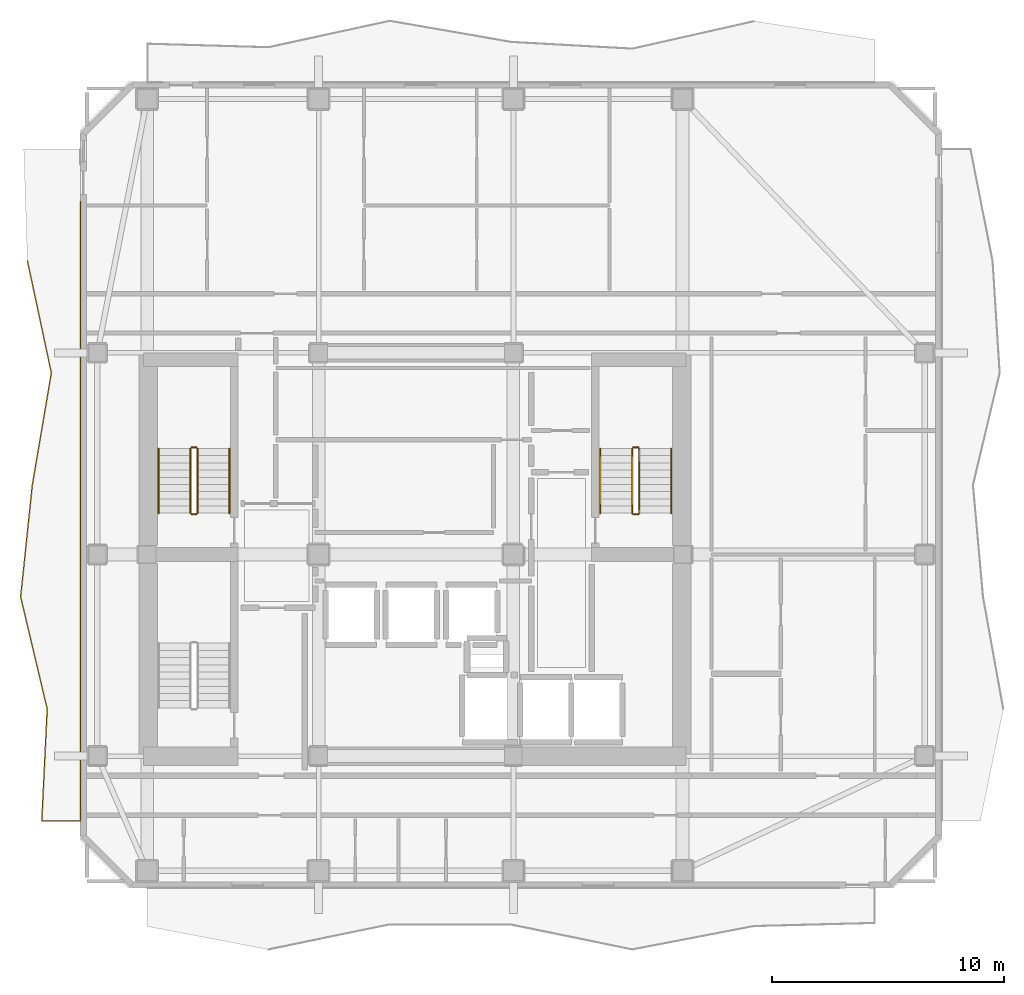
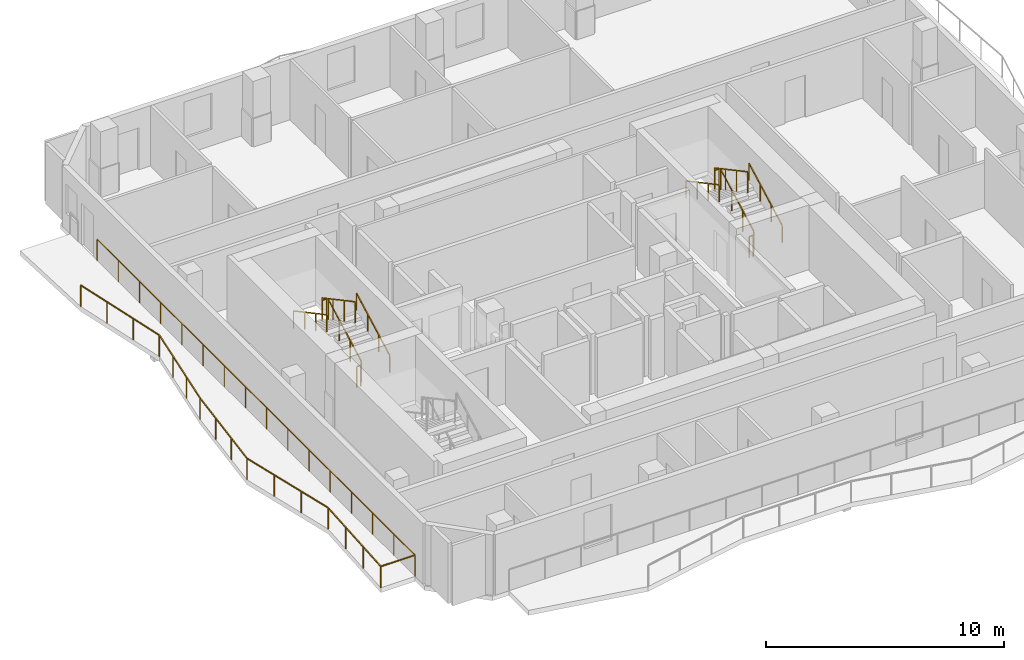
# One storey, part 8 of 9: 13 railings.
"""IFC4 building model written with IfcOpenShell, lengths in metres."""

from ifc_helpers import new_model, si_unit, direction, frame, origin, origin_2d, place, context, subcontext, project, spatial, rectangle, extrude, material, type_object, element, save


model = new_model("IFC4")

# Units and contexts
model_context = context("Model", 3, precision=1e-05, world=origin(), true_north=direction((0.0, 1.0)))
body_context = subcontext(model_context, "Body", "Model", "MODEL_VIEW")
ifc_project = project(units=[si_unit("LENGTHUNIT", "METRE"), si_unit("AREAUNIT", "SQUARE_METRE"), si_unit("VOLUMEUNIT", "CUBIC_METRE"), si_unit("PLANEANGLEUNIT", "RADIAN"), si_unit("MASSUNIT", "GRAM", prefix="KILO")], contexts=[model_context])

# Site, building, storey
site_placement = place(None, origin())
site = spatial("IfcSite", under=ifc_project, at=site_placement, CompositionType="ELEMENT")
building_placement = place(site_placement, origin())
building = spatial("IfcBuilding", under=site, at=building_placement, Name="Solanera Arch Residences", CompositionType="ELEMENT")
storey_placement = place(building_placement, frame((0.0, 0.0, 234.60009765625)))
storey = spatial("IfcBuildingStorey", under=building, at=storey_placement, Name="L68", CompositionType="ELEMENT", Elevation=234.60009765625)

# Railings
ifc_material_1 = material(Name="Steel S355 (ASTM A992 / A572 Grade 50)", Category="steel")
railing_type_1 = type_object("IfcRailingType", Name="Balustrade Railing BL-1100", PredefinedType="BALUSTRADE", material=ifc_material_1)
railing_1_placement = place(storey_placement, frame((8.22900390625, 43.366943359375, 0.0)))
element("IfcRailing", 1, at=railing_1_placement, inside=storey, type_object=railing_type_1, Name="L68 W Balcony Balustrade 1", PredefinedType="BALUSTRADE", context=body_context, shape_type="SweptSolid", body=[
    extrude(rectangle(XDim=0.048095703125, YDim=0.048095703125, at=origin_2d()), frame((0.0, 0.0, 1.09619140625), z_axis=(0.20878019562, -0.977962591267, 0.0), x_axis=(0.977962591267, 0.20878019562, 0.0)), (0.0, 0.0, 1.0), 4.94287109375),
    extrude(rectangle(XDim=0.048095703125, YDim=0.048095703125, at=origin_2d()), frame((1.031982421875, -4.833984375, 1.09619140625), z_axis=(-0.167483198163, -0.985874930371, 0.0), x_axis=(0.985874930371, -0.167483198163, 0.0)), (0.0, 0.0, 1.0), 4.90234375),
    extrude(rectangle(XDim=0.048095703125, YDim=0.048095703125, at=origin_2d()), frame((0.2109375, -9.6669921875, 1.09619140625), z_axis=(-0.103701348985, -0.99460848087, 0.0), x_axis=(0.99460848087, -0.103701348985, 0.0)), (0.0, 0.0, 1.0), 4.859130859375),
    extrude(rectangle(XDim=0.048095703125, YDim=0.048095703125, at=origin_2d()), frame((-0.29296875, -14.5, 1.09619140625), z_axis=(0.230490875828, -0.97307448644, 0.0), x_axis=(0.97307448644, 0.230490875828, 0.0)), (0.0, 0.0, 1.0), 4.9677734375),
    extrude(rectangle(XDim=0.048095703125, YDim=0.048095703125, at=origin_2d()), frame((0.85205078125, -19.333984375, 1.09619140625), z_axis=(-0.047934328396, -0.998850489393, 0.0), x_axis=(0.998850489393, -0.047934328396, 0.0)), (0.0, 0.0, 1.0), 4.838623046875),
    extrude(rectangle(XDim=0.048095703125, YDim=0.048095703125, at=origin_2d()), frame((0.6201171875, -24.1669921875, 1.09619140625), z_axis=(1.0, 0.0, 0.0), x_axis=(0.0, 1.0, 0.0)), (0.0, 0.0, 1.0), 1.6708984375),
    extrude(rectangle(XDim=0.048095703125, YDim=0.048095703125, at=origin_2d()), frame((2.291015625, -24.1669921875, 1.09619140625), z_axis=(0.0, 1.0, 0.0), x_axis=(-1.0, 0.0, 0.0)), (0.0, 0.0, 1.0), 26.739990234375),
    extrude(rectangle(XDim=0.0419921875, YDim=0.0419921875, at=origin_2d()), origin(), (0.0, 0.0, 1.0), 1.072021484375),
    extrude(rectangle(XDim=0.0419921875, YDim=0.0419921875, at=origin_2d()), frame((0.343994140625, -1.611328125, 0.0)), (0.0, 0.0, 1.0), 1.072021484375),
    extrude(rectangle(XDim=0.0419921875, YDim=0.0419921875, at=origin_2d()), frame((0.68798828125, -3.22265625, 0.0)), (0.0, 0.0, 1.0), 1.072021484375),
    extrude(rectangle(XDim=0.0419921875, YDim=0.0419921875, at=origin_2d()), frame((1.031982421875, -4.833984375, 0.0)), (0.0, 0.0, 1.0), 1.072021484375),
    extrude(rectangle(XDim=0.0419921875, YDim=0.0419921875, at=origin_2d()), frame((0.75830078125, -6.445068359375, 0.0)), (0.0, 0.0, 1.0), 1.072021484375),
    extrude(rectangle(XDim=0.0419921875, YDim=0.0419921875, at=origin_2d()), frame((0.484619140625, -8.055908203125, 0.0)), (0.0, 0.0, 1.0), 1.072021484375),
    extrude(rectangle(XDim=0.0419921875, YDim=0.0419921875, at=origin_2d()), frame((0.2109375, -9.6669921875, 0.0)), (0.0, 0.0, 1.0), 1.072021484375),
    extrude(rectangle(XDim=0.0419921875, YDim=0.0419921875, at=origin_2d()), frame((0.04296875, -11.278076171875, 0.0)), (0.0, 0.0, 1.0), 1.072021484375),
    extrude(rectangle(XDim=0.0419921875, YDim=0.0419921875, at=origin_2d()), frame((-0.125, -12.888916015625, 0.0)), (0.0, 0.0, 1.0), 1.072021484375),
    extrude(rectangle(XDim=0.0419921875, YDim=0.0419921875, at=origin_2d()), frame((-0.29296875, -14.5, 0.0)), (0.0, 0.0, 1.0), 1.072021484375),
    extrude(rectangle(XDim=0.0419921875, YDim=0.0419921875, at=origin_2d()), frame((0.088623046875, -16.111328125, 0.0)), (0.0, 0.0, 1.0), 1.072021484375),
    extrude(rectangle(XDim=0.0419921875, YDim=0.0419921875, at=origin_2d()), frame((0.470458984375, -17.72265625, 0.0)), (0.0, 0.0, 1.0), 1.072021484375),
    extrude(rectangle(XDim=0.0419921875, YDim=0.0419921875, at=origin_2d()), frame((0.85205078125, -19.333984375, 0.0)), (0.0, 0.0, 1.0), 1.072021484375),
    extrude(rectangle(XDim=0.0419921875, YDim=0.0419921875, at=origin_2d()), frame((0.774658203125, -20.945068359375, 0.0)), (0.0, 0.0, 1.0), 1.072021484375),
    extrude(rectangle(XDim=0.0419921875, YDim=0.0419921875, at=origin_2d()), frame((0.697509765625, -22.555908203125, 0.0)), (0.0, 0.0, 1.0), 1.072021484375),
    extrude(rectangle(XDim=0.0419921875, YDim=0.0419921875, at=origin_2d()), frame((0.6201171875, -24.1669921875, 0.0)), (0.0, 0.0, 1.0), 1.072021484375),
    extrude(rectangle(XDim=0.0419921875, YDim=0.0419921875, at=origin_2d()), frame((2.291015625, -24.1669921875, 0.0)), (0.0, 0.0, 1.0), 1.072021484375),
    extrude(rectangle(XDim=0.0419921875, YDim=0.0419921875, at=origin_2d()), frame((2.291015625, -22.38427734375, 0.0)), (0.0, 0.0, 1.0), 1.072021484375),
    extrude(rectangle(XDim=0.0419921875, YDim=0.0419921875, at=origin_2d()), frame((2.291015625, -20.6015625, 0.0)), (0.0, 0.0, 1.0), 1.072021484375),
    extrude(rectangle(XDim=0.0419921875, YDim=0.0419921875, at=origin_2d()), frame((2.291015625, -18.819091796875, 0.0)), (0.0, 0.0, 1.0), 1.072021484375),
    extrude(rectangle(XDim=0.0419921875, YDim=0.0419921875, at=origin_2d()), frame((2.291015625, -17.036376953125, 0.0)), (0.0, 0.0, 1.0), 1.072021484375),
    extrude(rectangle(XDim=0.0419921875, YDim=0.0419921875, at=origin_2d()), frame((2.291015625, -15.253662109375, 0.0)), (0.0, 0.0, 1.0), 1.072021484375),
    extrude(rectangle(XDim=0.0419921875, YDim=0.0419921875, at=origin_2d()), frame((2.291015625, -13.470947265625, 0.0)), (0.0, 0.0, 1.0), 1.072021484375),
    extrude(rectangle(XDim=0.0419921875, YDim=0.0419921875, at=origin_2d()), frame((2.291015625, -11.688232421875, 0.0)), (0.0, 0.0, 1.0), 1.072021484375),
    extrude(rectangle(XDim=0.0419921875, YDim=0.0419921875, at=origin_2d()), frame((2.291015625, -9.90576171875, 0.0)), (0.0, 0.0, 1.0), 1.072021484375),
    extrude(rectangle(XDim=0.0419921875, YDim=0.0419921875, at=origin_2d()), frame((2.291015625, -8.123046875, 0.0)), (0.0, 0.0, 1.0), 1.072021484375),
    extrude(rectangle(XDim=0.0419921875, YDim=0.0419921875, at=origin_2d()), frame((2.291015625, -6.34033203125, 0.0)), (0.0, 0.0, 1.0), 1.072021484375),
    extrude(rectangle(XDim=0.0419921875, YDim=0.0419921875, at=origin_2d()), frame((2.291015625, -4.5576171875, 0.0)), (0.0, 0.0, 1.0), 1.072021484375),
    extrude(rectangle(XDim=0.0419921875, YDim=0.0419921875, at=origin_2d()), frame((2.291015625, -2.77490234375, 0.0)), (0.0, 0.0, 1.0), 1.072021484375),
    extrude(rectangle(XDim=0.0419921875, YDim=0.0419921875, at=origin_2d()), frame((2.291015625, -0.992431640625, 0.0)), (0.0, 0.0, 1.0), 1.072021484375),
    extrude(rectangle(XDim=0.0419921875, YDim=0.0419921875, at=origin_2d()), frame((2.291015625, 0.790283203125, 0.0)), (0.0, 0.0, 1.0), 1.072021484375),
    extrude(rectangle(XDim=0.0419921875, YDim=0.0419921875, at=origin_2d()), frame((2.291015625, 2.572998046875, 0.0)), (0.0, 0.0, 1.0), 1.072021484375),
])
ifc_material_2 = material(Name="Steel S355 (ASTM A992 / A572 Grade 50)", Category="steel")
railing_type_2 = type_object("IfcRailingType", Name="Stair Guardrail GR-1100", PredefinedType="GUARDRAIL", material=ifc_material_2)
railing_2_placement = place(storey_placement, frame((15.570068359375, 32.47998046875, 0.15087890625)))
element("IfcRailing", 2, at=railing_2_placement, inside=storey, type_object=railing_type_2, Name="L68 ST-T1 stair guard 1", PredefinedType="GUARDRAIL", context=body_context, shape_type="SweptSolid", body=[
    extrude(rectangle(XDim=0.048095703125, YDim=0.048095703125, at=origin_2d()), frame((0.0, 0.0, 1.076171875), z_axis=(0.0, 0.881548766853, 0.472092969298), x_axis=(-1.0, 0.0, 0.0)), (0.0, 0.0, 1.0), 3.1650390625),
    extrude(rectangle(XDim=0.0419921875, YDim=0.0419921875, at=origin_2d()), origin(), (0.0, 0.0, 1.0), 1.052001953125),
    extrude(rectangle(XDim=0.0419921875, YDim=0.0419921875, at=origin_2d()), frame((0.0, 0.929931640625, 0.498046875)), (0.0, 0.0, 1.0), 1.052001953125),
    extrude(rectangle(XDim=0.0419921875, YDim=0.0419921875, at=origin_2d()), frame((0.0, 1.860107421875, 0.99609375)), (0.0, 0.0, 1.0), 1.052001953125),
    extrude(rectangle(XDim=0.0419921875, YDim=0.0419921875, at=origin_2d()), frame((0.0, 2.7900390625, 1.494140625)), (0.0, 0.0, 1.0), 1.052001953125),
])
railing_3_placement = place(storey_placement, frame((15.52001953125, 35.320068359375, 1.64501953125)))
element("IfcRailing", 3, at=railing_3_placement, inside=storey, type_object=railing_type_2, Name="L68 ST-T1 stair guard 2", PredefinedType="GUARDRAIL", context=body_context, shape_type="SweptSolid", body=[
    extrude(rectangle(XDim=0.048095703125, YDim=0.048095703125, at=origin_2d()), frame((0.0, 0.0, 1.076171875), z_axis=(-1.0, 0.0, 0.0), x_axis=(0.0, -1.0, 0.0)), (0.0, 0.0, 1.0), 0.199951171875),
    extrude(rectangle(XDim=0.0419921875, YDim=0.0419921875, at=origin_2d()), origin(), (0.0, 0.0, 1.0), 1.052001953125),
    extrude(rectangle(XDim=0.0419921875, YDim=0.0419921875, at=origin_2d()), frame((-0.199951171875, 0.0, 0.0)), (0.0, 0.0, 1.0), 1.052001953125),
])
railing_4_placement = place(storey_placement, frame((15.27001953125, 35.27001953125, 1.810791015625)))
element("IfcRailing", 4, at=railing_4_placement, inside=storey, type_object=railing_type_2, Name="L68 ST-T1 stair guard 3", PredefinedType="GUARDRAIL", context=body_context, shape_type="SweptSolid", body=[
    extrude(rectangle(XDim=0.048095703125, YDim=0.048095703125, at=origin_2d()), frame((0.0, 0.0, 1.076171875), z_axis=(0.0, -0.881548766853, 0.472092969298), x_axis=(1.0, 0.0, 0.0)), (0.0, 0.0, 1.0), 3.1650390625),
    extrude(rectangle(XDim=0.0419921875, YDim=0.0419921875, at=origin_2d()), origin(), (0.0, 0.0, 1.0), 1.052001953125),
    extrude(rectangle(XDim=0.0419921875, YDim=0.0419921875, at=origin_2d()), frame((0.0, -0.929931640625, 0.498046875)), (0.0, 0.0, 1.0), 1.052001953125),
    extrude(rectangle(XDim=0.0419921875, YDim=0.0419921875, at=origin_2d()), frame((0.0, -1.860107421875, 0.99609375)), (0.0, 0.0, 1.0), 1.052001953125),
    extrude(rectangle(XDim=0.0419921875, YDim=0.0419921875, at=origin_2d()), frame((0.0, -2.7900390625, 1.494140625)), (0.0, 0.0, 1.0), 1.052001953125),
])
railing_5_placement = place(storey_placement, frame((15.52001953125, 32.429931640625, -0.01513671875)))
element("IfcRailing", 5, at=railing_5_placement, inside=storey, type_object=railing_type_2, Name="L68 ST-T1 stair guard 4", PredefinedType="GUARDRAIL", context=body_context, shape_type="SweptSolid", body=[
    extrude(rectangle(XDim=0.048095703125, YDim=0.048095703125, at=origin_2d()), frame((0.0, 0.0, 1.076171875), z_axis=(-1.0, 0.0, 0.0), x_axis=(0.0, -1.0, 0.0)), (0.0, 0.0, 1.0), 0.199951171875),
    extrude(rectangle(XDim=0.0419921875, YDim=0.0419921875, at=origin_2d()), origin(), (0.0, 0.0, 1.0), 1.052001953125),
    extrude(rectangle(XDim=0.0419921875, YDim=0.0419921875, at=origin_2d()), frame((-0.199951171875, 0.0, 0.0)), (0.0, 0.0, 1.0), 1.052001953125),
])
railing_6_placement = place(storey_placement, frame((34.6298828125, 32.47998046875, 0.15087890625)))
element("IfcRailing", 6, at=railing_6_placement, inside=storey, type_object=railing_type_2, Name="L68 ST-T2 stair guard 1", PredefinedType="GUARDRAIL", context=body_context, shape_type="SweptSolid", body=[
    extrude(rectangle(XDim=0.048095703125, YDim=0.048095703125, at=origin_2d()), frame((0.0, 0.0, 1.076171875), z_axis=(0.0, 0.881548766853, 0.472092969298), x_axis=(-1.0, 0.0, 0.0)), (0.0, 0.0, 1.0), 3.1650390625),
    extrude(rectangle(XDim=0.0419921875, YDim=0.0419921875, at=origin_2d()), origin(), (0.0, 0.0, 1.0), 1.052001953125),
    extrude(rectangle(XDim=0.0419921875, YDim=0.0419921875, at=origin_2d()), frame((0.0, 0.929931640625, 0.498046875)), (0.0, 0.0, 1.0), 1.052001953125),
    extrude(rectangle(XDim=0.0419921875, YDim=0.0419921875, at=origin_2d()), frame((0.0, 1.860107421875, 0.99609375)), (0.0, 0.0, 1.0), 1.052001953125),
    extrude(rectangle(XDim=0.0419921875, YDim=0.0419921875, at=origin_2d()), frame((0.0, 2.7900390625, 1.494140625)), (0.0, 0.0, 1.0), 1.052001953125),
])
railing_7_placement = place(storey_placement, frame((34.580078125, 35.320068359375, 1.64501953125)))
element("IfcRailing", 7, at=railing_7_placement, inside=storey, type_object=railing_type_2, Name="L68 ST-T2 stair guard 2", PredefinedType="GUARDRAIL", context=body_context, shape_type="SweptSolid", body=[
    extrude(rectangle(XDim=0.048095703125, YDim=0.048095703125, at=origin_2d()), frame((0.0, 0.0, 1.076171875), z_axis=(-1.0, 0.0, 0.0), x_axis=(0.0, -1.0, 0.0)), (0.0, 0.0, 1.0), 0.2001953125),
    extrude(rectangle(XDim=0.0419921875, YDim=0.0419921875, at=origin_2d()), origin(), (0.0, 0.0, 1.0), 1.052001953125),
    extrude(rectangle(XDim=0.0419921875, YDim=0.0419921875, at=origin_2d()), frame((-0.2001953125, 0.0, 0.0)), (0.0, 0.0, 1.0), 1.052001953125),
])
railing_8_placement = place(storey_placement, frame((34.330078125, 35.27001953125, 1.810791015625)))
element("IfcRailing", 8, at=railing_8_placement, inside=storey, type_object=railing_type_2, Name="L68 ST-T2 stair guard 3", PredefinedType="GUARDRAIL", context=body_context, shape_type="SweptSolid", body=[
    extrude(rectangle(XDim=0.048095703125, YDim=0.048095703125, at=origin_2d()), frame((0.0, 0.0, 1.076171875), z_axis=(0.0, -0.881548766853, 0.472092969298), x_axis=(1.0, 0.0, 0.0)), (0.0, 0.0, 1.0), 3.1650390625),
    extrude(rectangle(XDim=0.0419921875, YDim=0.0419921875, at=origin_2d()), origin(), (0.0, 0.0, 1.0), 1.052001953125),
    extrude(rectangle(XDim=0.0419921875, YDim=0.0419921875, at=origin_2d()), frame((0.0, -0.929931640625, 0.498046875)), (0.0, 0.0, 1.0), 1.052001953125),
    extrude(rectangle(XDim=0.0419921875, YDim=0.0419921875, at=origin_2d()), frame((0.0, -1.860107421875, 0.99609375)), (0.0, 0.0, 1.0), 1.052001953125),
    extrude(rectangle(XDim=0.0419921875, YDim=0.0419921875, at=origin_2d()), frame((0.0, -2.7900390625, 1.494140625)), (0.0, 0.0, 1.0), 1.052001953125),
])
railing_9_placement = place(storey_placement, frame((34.580078125, 32.429931640625, -0.01513671875)))
element("IfcRailing", 9, at=railing_9_placement, inside=storey, type_object=railing_type_2, Name="L68 ST-T2 stair guard 4", PredefinedType="GUARDRAIL", context=body_context, shape_type="SweptSolid", body=[
    extrude(rectangle(XDim=0.048095703125, YDim=0.048095703125, at=origin_2d()), frame((0.0, 0.0, 1.076171875), z_axis=(-1.0, 0.0, 0.0), x_axis=(0.0, -1.0, 0.0)), (0.0, 0.0, 1.0), 0.2001953125),
    extrude(rectangle(XDim=0.0419921875, YDim=0.0419921875, at=origin_2d()), origin(), (0.0, 0.0, 1.0), 1.052001953125),
    extrude(rectangle(XDim=0.0419921875, YDim=0.0419921875, at=origin_2d()), frame((-0.2001953125, 0.0, 0.0)), (0.0, 0.0, 1.0), 1.052001953125),
])
ifc_material_3 = material(Name="Steel S355 (ASTM A992 / A572 Grade 50)", Category="steel")
railing_type_3 = type_object("IfcRailingType", Name="Stair Wall Handrail HR-920", PredefinedType="HANDRAIL", material=ifc_material_3)
railing_10_placement = place(storey_placement, frame((16.949951171875, 32.47998046875, 0.166015625)))
element("IfcRailing", 10, at=railing_10_placement, inside=storey, type_object=railing_type_3, Name="L68 ST-T1 stair handrail 1", PredefinedType="HANDRAIL", context=body_context, shape_type="SweptSolid", body=[
    extrude(rectangle(XDim=0.048095703125, YDim=0.048095703125, at=origin_2d()), frame((0.0, 0.0, 0.8759765625), z_axis=(0.0, 0.881580869306, 0.472033018838), x_axis=(-1.0, 0.0, 0.0)), (0.0, 0.0, 1.0), 3.164794921875),
    extrude(rectangle(XDim=0.0419921875, YDim=0.0419921875, at=origin_2d()), origin(), (0.0, 0.0, 1.0), 0.851806640625),
    extrude(rectangle(XDim=0.0419921875, YDim=0.0419921875, at=origin_2d()), frame((0.0, 0.929931640625, 0.498046875)), (0.0, 0.0, 1.0), 0.851806640625),
    extrude(rectangle(XDim=0.0419921875, YDim=0.0419921875, at=origin_2d()), frame((0.0, 1.860107421875, 0.995849609375)), (0.0, 0.0, 1.0), 0.851806640625),
    extrude(rectangle(XDim=0.0419921875, YDim=0.0419921875, at=origin_2d()), frame((0.0, 2.7900390625, 1.493896484375)), (0.0, 0.0, 1.0), 0.851806640625),
])
railing_11_placement = place(storey_placement, frame((13.889892578125, 35.27001953125, 1.825927734375)))
element("IfcRailing", 11, at=railing_11_placement, inside=storey, type_object=railing_type_3, Name="L68 ST-T1 stair handrail 2", PredefinedType="HANDRAIL", context=body_context, shape_type="SweptSolid", body=[
    extrude(rectangle(XDim=0.048095703125, YDim=0.048095703125, at=origin_2d()), frame((0.0, 0.0, 0.8759765625), z_axis=(0.0, -0.881580869306, 0.472033018838), x_axis=(1.0, 0.0, 0.0)), (0.0, 0.0, 1.0), 3.164794921875),
    extrude(rectangle(XDim=0.0419921875, YDim=0.0419921875, at=origin_2d()), origin(), (0.0, 0.0, 1.0), 0.851806640625),
    extrude(rectangle(XDim=0.0419921875, YDim=0.0419921875, at=origin_2d()), frame((0.0, -0.929931640625, 0.498046875)), (0.0, 0.0, 1.0), 0.851806640625),
    extrude(rectangle(XDim=0.0419921875, YDim=0.0419921875, at=origin_2d()), frame((0.0, -1.860107421875, 0.995849609375)), (0.0, 0.0, 1.0), 0.851806640625),
    extrude(rectangle(XDim=0.0419921875, YDim=0.0419921875, at=origin_2d()), frame((0.0, -2.7900390625, 1.493896484375)), (0.0, 0.0, 1.0), 0.851806640625),
])
railing_12_placement = place(storey_placement, frame((36.010009765625, 32.47998046875, 0.166015625)))
element("IfcRailing", 12, at=railing_12_placement, inside=storey, type_object=railing_type_3, Name="L68 ST-T2 stair handrail 1", PredefinedType="HANDRAIL", context=body_context, shape_type="SweptSolid", body=[
    extrude(rectangle(XDim=0.048095703125, YDim=0.048095703125, at=origin_2d()), frame((0.0, 0.0, 0.8759765625), z_axis=(0.0, 0.881580869306, 0.472033018838), x_axis=(-1.0, 0.0, 0.0)), (0.0, 0.0, 1.0), 3.164794921875),
    extrude(rectangle(XDim=0.0419921875, YDim=0.0419921875, at=origin_2d()), origin(), (0.0, 0.0, 1.0), 0.851806640625),
    extrude(rectangle(XDim=0.0419921875, YDim=0.0419921875, at=origin_2d()), frame((0.0, 0.929931640625, 0.498046875)), (0.0, 0.0, 1.0), 0.851806640625),
    extrude(rectangle(XDim=0.0419921875, YDim=0.0419921875, at=origin_2d()), frame((0.0, 1.860107421875, 0.995849609375)), (0.0, 0.0, 1.0), 0.851806640625),
    extrude(rectangle(XDim=0.0419921875, YDim=0.0419921875, at=origin_2d()), frame((0.0, 2.7900390625, 1.493896484375)), (0.0, 0.0, 1.0), 0.851806640625),
])
railing_13_placement = place(storey_placement, frame((32.949951171875, 35.27001953125, 1.825927734375)))
element("IfcRailing", 13, at=railing_13_placement, inside=storey, type_object=railing_type_3, Name="L68 ST-T2 stair handrail 2", PredefinedType="HANDRAIL", context=body_context, shape_type="SweptSolid", body=[
    extrude(rectangle(XDim=0.048095703125, YDim=0.048095703125, at=origin_2d()), frame((0.0, 0.0, 0.8759765625), z_axis=(0.0, -0.881580869306, 0.472033018838), x_axis=(1.0, 0.0, 0.0)), (0.0, 0.0, 1.0), 3.164794921875),
    extrude(rectangle(XDim=0.0419921875, YDim=0.0419921875, at=origin_2d()), origin(), (0.0, 0.0, 1.0), 0.851806640625),
    extrude(rectangle(XDim=0.0419921875, YDim=0.0419921875, at=origin_2d()), frame((0.0, -0.929931640625, 0.498046875)), (0.0, 0.0, 1.0), 0.851806640625),
    extrude(rectangle(XDim=0.0419921875, YDim=0.0419921875, at=origin_2d()), frame((0.0, -1.860107421875, 0.995849609375)), (0.0, 0.0, 1.0), 0.851806640625),
    extrude(rectangle(XDim=0.0419921875, YDim=0.0419921875, at=origin_2d()), frame((0.0, -2.7900390625, 1.493896484375)), (0.0, 0.0, 1.0), 0.851806640625),
])

save(model, "model.ifc")
